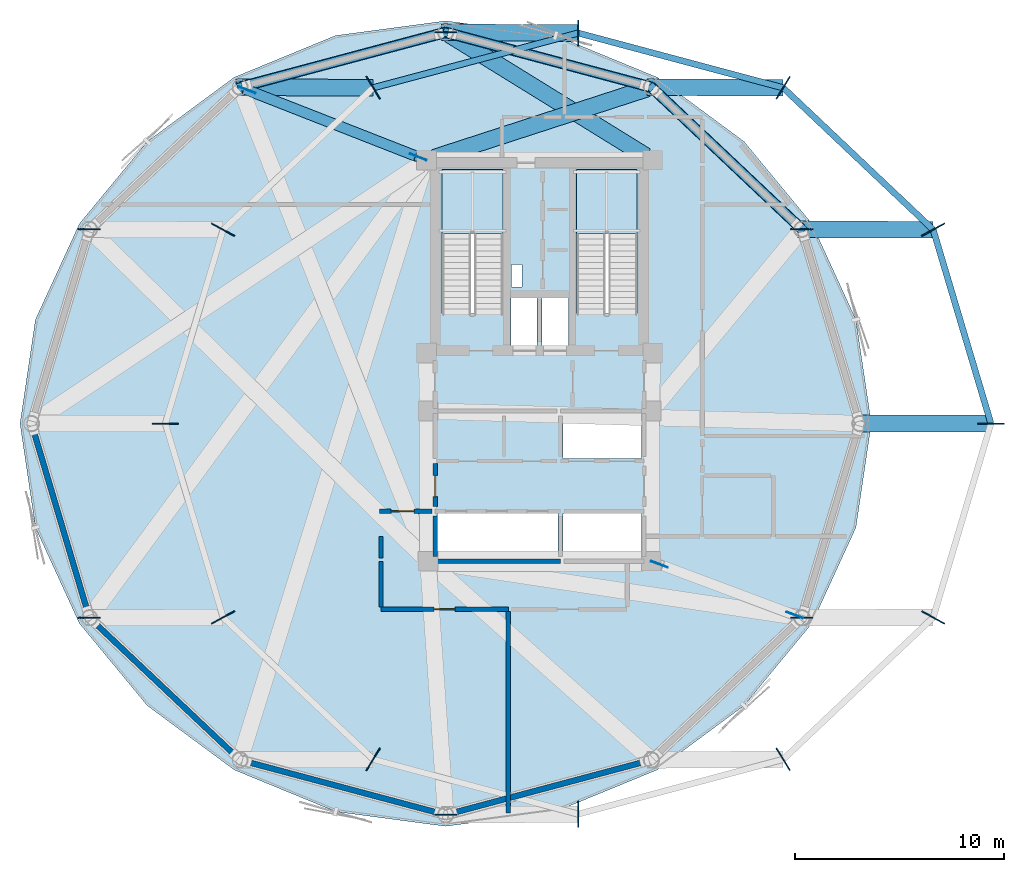
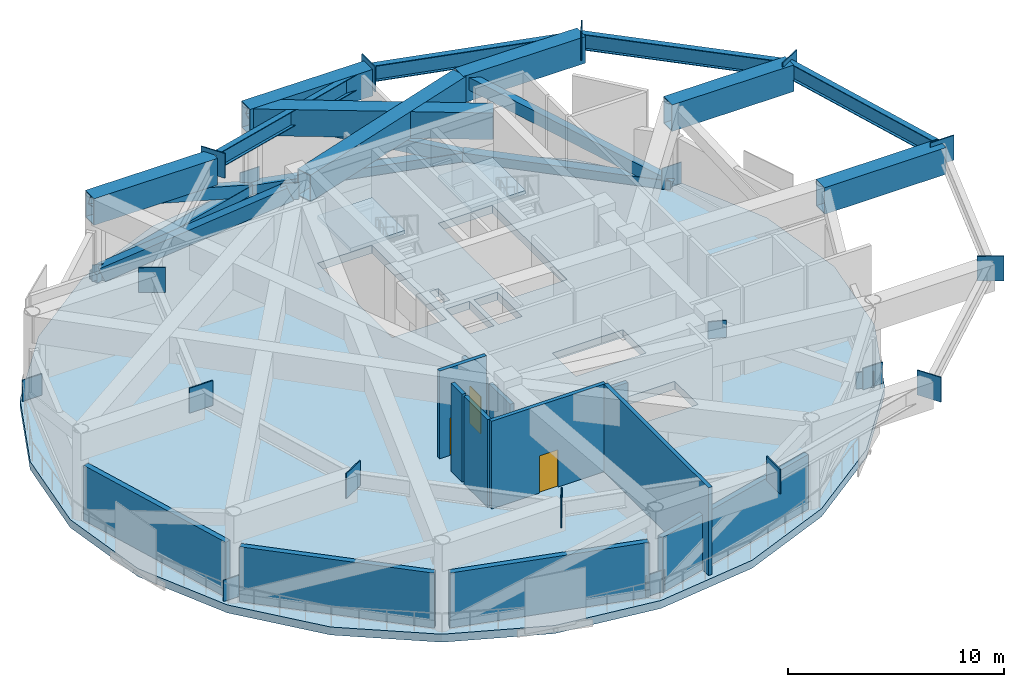
# One storey, part 2 of 8: 22 plates, 12 walls, 11 beams, 7 members, 3 doors, 3 slabs, 3 openings, 2 elements without a shape of their own.
"""IFC4 building model written with IfcOpenShell, lengths in metres."""

from ifc_helpers import new_model, si_unit, direction, frame, frame_2d, origin, origin_2d, place, context, subcontext, project, spatial, polyline, rectangle, hollow_rectangle, i_section, outline, extrude, material, layer, layer_set, material_profile, profile_set, type_object, element, fill, aggregate, save


model = new_model("IFC4")

# Units and contexts
model_context = context("Model", 3, precision=1e-05, world=origin(), true_north=direction((0.0, 1.0)))
body_context = subcontext(model_context, "Body", "Model", "MODEL_VIEW")
ifc_project = project(units=[si_unit("LENGTHUNIT", "METRE"), si_unit("AREAUNIT", "SQUARE_METRE"), si_unit("VOLUMEUNIT", "CUBIC_METRE"), si_unit("PLANEANGLEUNIT", "RADIAN"), si_unit("MASSUNIT", "GRAM", prefix="KILO")], contexts=[model_context])

# Site, building, storey
site_placement = place(None, origin())
site = spatial("IfcSite", under=ifc_project, at=site_placement, CompositionType="ELEMENT")
building_placement = place(site_placement, origin())
building = spatial("IfcBuilding", under=site, at=building_placement, Name="Varnakorn Sky Granary", CompositionType="ELEMENT")
storey_placement = place(building_placement, frame((0.0, 0.0, 173.39990234375)))
storey = spatial("IfcBuildingStorey", under=building, at=storey_placement, Name="L43", CompositionType="ELEMENT", Elevation=173.39990234375)

# Beams
ifc_material_1 = material(Name="Steel S355JR", Category="steel")
ifc_material_profile_1 = material_profile(ifc_material_1, i_section(OverallWidth=0.300048828125, OverallDepth=0.89990234375, WebThickness=0.0185546875, FlangeThickness=0.034912109375, at=origin_2d()), Name="HE 900 B")
ifc_profile_set_1 = profile_set([ifc_material_profile_1], Name="Steel S355JR")
beam_type_1 = type_object("IfcBeamType", Name="BM-PG-900", PredefinedType="BEAM", material=ifc_profile_set_1)
beam_1_placement = place(storey_placement, frame((24.629150390625, 0.009521484375, 4.5), z_axis=(-0.28545340644, 0.95839258801, 0.0), x_axis=(-0.95839258801, -0.28545340644, 0.0)))
element("IfcBeam", 1, at=beam_1_placement, inside=storey, type_object=beam_type_1, Name="Upper-Drum Perimeter Ring Girder 1", PredefinedType="BEAM", context=body_context, shape_type="SweptSolid", body=[
    extrude(i_section(OverallWidth=0.300048828125, OverallDepth=0.89990234375, WebThickness=0.0185546875, FlangeThickness=0.034912109375, at=origin_2d()), origin(), (0.0, 0.0, 1.0), 9.674072265625),
])
beam_2_placement = place(storey_placement, frame((21.857421875, 9.29736328125, 4.5), z_axis=(-0.726531109475, 0.68713357287, 0.0), x_axis=(-0.68713357287, -0.726531109475, 0.0)))
element("IfcBeam", 2, at=beam_2_placement, inside=storey, type_object=beam_type_1, Name="Upper-Drum Perimeter Ring Girder 2", PredefinedType="BEAM", context=body_context, shape_type="SweptSolid", body=[
    extrude(i_section(OverallWidth=0.300048828125, OverallDepth=0.89990234375, WebThickness=0.0185546875, FlangeThickness=0.034912109375, at=origin_2d()), origin(), (0.0, 0.0, 1.0), 9.877685546875),
])
for number, where, z_axis, x_axis, name in (
    (3, (14.663818359375, 16.09423828125, 4.5), (-0.966119844286, 0.258093871445, 0.0), (-0.258093871445, -0.966119844286, 0.0), "Upper-Drum Perimeter Ring Girder 3"),
    (4, (4.84033203125, 18.71337890625, 4.5), (-0.966119844286, -0.258093871445, 0.0), (0.258093871445, -0.966119844286, 0.0), "Upper-Drum Perimeter Ring Girder 4"),
):
    element("IfcBeam", number, at=place(storey_placement, frame(where, z_axis=z_axis, x_axis=x_axis)), inside=storey, type_object=beam_type_1, Name=name, PredefinedType="BEAM", context=body_context, shape_type="SweptSolid", body=[
        extrude(i_section(OverallWidth=0.300048828125, OverallDepth=0.89990234375, WebThickness=0.0185546875, FlangeThickness=0.034912109375, at=origin_2d()), origin(), (0.0, 0.0, 1.0), 10.14794921875),
    ])
ifc_material_2 = material(Name="Steel S460M", Category="steel")
ifc_material_profile_2 = material_profile(ifc_material_2, hollow_rectangle(XDim=0.800048828125, YDim=1.5, WallThickness=0.0400390625, at=origin_2d()), Name="BOX 800x1500x40")
ifc_profile_set_2 = profile_set([ifc_material_profile_2], Name="Steel S460M")
beam_type_2 = type_object("IfcBeamType", Name="BM-TB-1500", PredefinedType="BEAM", material=ifc_profile_set_2)
beam_3_placement = place(storey_placement, frame((18.14990234375, 0.0, 4.2001953125), z_axis=(1.0, 0.0, 0.0), x_axis=(0.0, 1.0, 0.0)))
element("IfcBeam", 5, at=beam_3_placement, inside=storey, type_object=beam_type_2, Name="Shifted-Drum Cantilever Transfer Girder 1", PredefinedType="BEAM", context=body_context, shape_type="SweptSolid", body=[
    extrude(hollow_rectangle(XDim=0.800048828125, YDim=1.5, WallThickness=0.0400390625, at=origin_2d()), origin(), (0.0, 0.0, 1.0), 6.482177734375),
])
beam_4_placement = place(storey_placement, frame((15.373779296875, 9.30810546875, 4.2001953125), z_axis=(0.999996333143, -0.00270808049, 0.0), x_axis=(0.00270808049, 0.999996333143, 0.0)))
element("IfcBeam", 6, at=beam_4_placement, inside=storey, type_object=beam_type_2, Name="Shifted-Drum Cantilever Transfer Girder 2", PredefinedType="BEAM", context=body_context, shape_type="SweptSolid", body=[
    extrude(hollow_rectangle(XDim=0.800048828125, YDim=1.5, WallThickness=0.0400390625, at=origin_2d()), origin(), (0.0, 0.0, 1.0), 6.490966796875),
])
beam_5_placement = place(storey_placement, frame((-2.05859375, 12.7373046875, 4.2001953125), z_axis=(0.951071606769, 0.308970546814, 0.0), x_axis=(-0.308970546814, 0.951071606769, 0.0)))
element("IfcBeam", 7, at=beam_5_placement, inside=storey, type_object=beam_type_2, Name="Transfer Back-Span Girder 3", PredefinedType="BEAM", context=body_context, shape_type="SweptSolid", body=[
    extrude(hollow_rectangle(XDim=0.800048828125, YDim=1.5, WallThickness=0.0400390625, at=origin_2d()), origin(), (0.0, 0.0, 1.0), 10.751953125),
])
beam_6_placement = place(storey_placement, frame((8.157470703125, 16.1220703125, 4.2001953125), z_axis=(0.999989033053, -0.004683350661, 0.0), x_axis=(0.004683350661, 0.999989033053, 0.0)))
element("IfcBeam", 8, at=beam_6_placement, inside=storey, type_object=beam_type_2, Name="Shifted-Drum Cantilever Transfer Girder 3", PredefinedType="BEAM", context=body_context, shape_type="SweptSolid", body=[
    extrude(hollow_rectangle(XDim=0.800048828125, YDim=1.5, WallThickness=0.0400390625, at=origin_2d()), origin(), (0.0, 0.0, 1.0), 6.51611328125),
])
beam_7_placement = place(storey_placement, frame((8.0966796875, 12.81982421875, 4.2001953125), z_axis=(-0.850679482757, 0.525684713128, 0.0), x_axis=(-0.525684713128, -0.850679482757, 0.0)))
element("IfcBeam", 9, at=beam_7_placement, inside=storey, type_object=beam_type_2, Name="Transfer Back-Span Girder 4", PredefinedType="BEAM", context=body_context, shape_type="SweptSolid", body=[
    extrude(hollow_rectangle(XDim=0.800048828125, YDim=1.5, WallThickness=0.0400390625, at=origin_2d()), origin(), (0.0, 0.0, 1.0), 11.0810546875),
])
beam_8_placement = place(storey_placement, frame((-1.699951171875, 18.751220703125, 4.2001953125), z_axis=(0.999985596215, -0.005367249091, 0.0), x_axis=(0.005367249091, 0.999985596215, 0.0)))
element("IfcBeam", 10, at=beam_8_placement, inside=storey, type_object=beam_type_2, Name="Shifted-Drum Cantilever Transfer Girder 4", PredefinedType="BEAM", context=body_context, shape_type="SweptSolid", body=[
    extrude(hollow_rectangle(XDim=0.800048828125, YDim=1.5, WallThickness=0.0400390625, at=origin_2d()), origin(), (0.0, 0.0, 1.0), 6.550048828125),
])
beam_9_placement = place(storey_placement, frame((-11.5576171875, 16.1220703125, 4.2001953125), z_axis=(0.999989258787, -0.004634901455, 0.0), x_axis=(0.004634901455, 0.999989258787, 0.0)))
element("IfcBeam", 11, at=beam_9_placement, inside=storey, type_object=beam_type_2, Name="Shifted-Drum Cantilever Transfer Girder 5", PredefinedType="BEAM", context=body_context, shape_type="SweptSolid", body=[
    extrude(hollow_rectangle(XDim=0.800048828125, YDim=1.5, WallThickness=0.0400390625, at=origin_2d()), origin(), (0.0, 0.0, 1.0), 6.584228515625),
])

# Members
ifc_material_profile_3 = material_profile(ifc_material_2, hollow_rectangle(XDim=0.449951171875, YDim=0.64990234375, WallThickness=0.02490234375, at=origin_2d()), Name="RHS 450x650x25")
ifc_profile_set_3 = profile_set([ifc_material_profile_3], Name="Steel S460M")
member_type_1 = type_object("IfcMemberType", Name="MB-BELT-650", PredefinedType="BRACE", material=ifc_profile_set_3)
member_1_placement = place(storey_placement, frame((15.57373046875, 9.3076171875, 0.150146484375), z_axis=(-0.663470402032, 0.626433858174, 0.409130354484), x_axis=(-0.686520954925, -0.727110018119, 0.0)))
element("IfcMember", 12, at=member_1_placement, inside=storey, type_object=member_type_1, Name="Perimeter Belt-Truss Diagonal BT02 L43", PredefinedType="BRACE", context=body_context, shape_type="SweptSolid", body=[
    extrude(hollow_rectangle(XDim=0.449951171875, YDim=0.64990234375, WallThickness=0.02490234375, at=origin_2d()), origin(), (0.0, 0.0, 1.0), 10.876708984375),
])
for number, where, z_axis, x_axis, name in (
    (13, (8.357421875, 16.12109375, 0.150146484375), (-0.885644185202, 0.236195179965, 0.39980772151), (-0.25768648195, -0.966228584249, 0.0), "Perimeter Belt-Truss Diagonal BT03 L43"),
    (14, (-1.5, 18.75, 0.150146484375), (-0.885644185202, -0.236195179965, 0.39980772151), (0.25768648195, -0.966228584249, 0.0), "Perimeter Belt-Truss Diagonal BT04 L43"),
):
    element("IfcMember", number, at=place(storey_placement, frame(where, z_axis=z_axis, x_axis=x_axis)), inside=storey, type_object=member_type_1, Name=name, PredefinedType="BRACE", context=body_context, shape_type="SweptSolid", body=[
        extrude(hollow_rectangle(XDim=0.449951171875, YDim=0.64990234375, WallThickness=0.02490234375, at=origin_2d()), origin(), (0.0, 0.0, 1.0), 11.130126953125),
    ])
ifc_material_profile_4 = material_profile(ifc_material_2, hollow_rectangle(XDim=0.5, YDim=0.5, WallThickness=0.02490234375, at=origin_2d()), Name="SHS 500x500x25")
ifc_profile_set_4 = profile_set([ifc_material_profile_4], Name="Steel S460M")
member_type_2 = type_object("IfcMemberType", Name="MB-CHD-500", PredefinedType="CHORD", material=ifc_profile_set_4)
member_2_placement = place(storey_placement, frame((15.57373046875, 9.3076171875, 0.25), z_axis=(-0.727110018119, 0.686520954925, 0.0), x_axis=(-0.686520954925, -0.727110018119, 0.0)))
element("IfcMember", 15, at=member_2_placement, inside=storey, type_object=member_type_2, Name="Belt-Truss Bottom Chord BCH02 L43", PredefinedType="CHORD", context=body_context, shape_type="SweptSolid", body=[
    extrude(hollow_rectangle(XDim=0.5, YDim=0.5, WallThickness=0.02490234375, at=origin_2d()), origin(), (0.0, 0.0, 1.0), 9.924560546875),
])
for number, where, z_axis, x_axis, name in (
    (16, (8.357421875, 16.12109375, 0.25), (-0.966228584249, 0.25768648195, 0.0), (-0.25768648195, -0.966228584249, 0.0), "Belt-Truss Bottom Chord BCH03 L43"),
    (17, (-1.5, 18.75, 0.25), (-0.966228584249, -0.25768648195, 0.0), (0.25768648195, -0.966228584249, 0.0), "Belt-Truss Bottom Chord BCH04 L43"),
):
    element("IfcMember", number, at=place(storey_placement, frame(where, z_axis=z_axis, x_axis=x_axis)), inside=storey, type_object=member_type_2, Name=name, PredefinedType="CHORD", context=body_context, shape_type="SweptSolid", body=[
        extrude(hollow_rectangle(XDim=0.5, YDim=0.5, WallThickness=0.02490234375, at=origin_2d()), origin(), (0.0, 0.0, 1.0), 10.201904296875),
    ])
ifc_material_profile_5 = material_profile(ifc_material_2, hollow_rectangle(XDim=0.5, YDim=0.800048828125, WallThickness=0.030029296875, at=origin_2d()), Name="RHS 500x800x30")
ifc_profile_set_5 = profile_set([ifc_material_profile_5], Name="Steel S460M")
member_type_3 = type_object("IfcMemberType", Name="MB-OUT-800", PredefinedType="BRACE", material=ifc_profile_set_5)
member_3_placement = place(storey_placement, frame((-2.81103515625, 12.773193359375, 4.10009765625), z_axis=(-0.860247096605, 0.336983435701, -0.382644870403), x_axis=(-0.364741936805, -0.931108650768, 0.0)))
element("IfcMember", 18, at=member_3_placement, inside=storey, type_object=member_type_3, Name="Radial Outrigger Truss Diagonal OUT05 L43", PredefinedType="BRACE", context=body_context, shape_type="SweptSolid", body=[
    extrude(hollow_rectangle(XDim=0.5, YDim=0.800048828125, WallThickness=0.030029296875, at=origin_2d()), origin(), (0.0, 0.0, 1.0), 9.53857421875),
])

# Plates
ifc_layer_1 = layer(ifc_material_2, 0.048095703125, Name="Steel S460M")
ifc_layer_set_1 = layer_set([ifc_layer_1], Name="Steel S460M")
plate_type_1 = type_object("IfcPlateType", Name="PL-NODE-KN6", PredefinedType="SHEET", material=ifc_layer_set_1)
for number, where, z_axis, x_axis, name in (
    (19, (15.57373046875, 9.3076171875, 0.05029296875), (0.0, 0.0, 1.0), (1.0, 0.0, 0.0), "Belt-Outrigger Node Assembly KN6 L43-2"),
    (20, (-1.5, 18.75, 0.05029296875), (0.0, 0.0, 1.0), (1.0, 0.0, 0.0), "Belt-Outrigger Node Assembly KN6 L43-4"),
    (21, (-18.57373046875, 9.3076171875, 0.05029296875), (0.0, 0.0, 1.0), (1.0, 0.0, 0.0), "Belt-Outrigger Node Assembly KN6 L43-6"),
    (22, (-18.57373046875, -9.3076171875, 0.05029296875), (0.0, 0.0, 1.0), (1.0, 0.0, 0.0), "Belt-Outrigger Node Assembly KN6 L43-8"),
    (23, (-1.5, -18.75, 0.05029296875), (0.0, 0.0, 1.0), (1.0, 0.0, 0.0), "Belt-Outrigger Node Assembly KN6 L43-10"),
    (24, (15.57373046875, -9.3076171875, 0.05029296875), (0.0, 0.0, 1.0), (1.0, 0.0, 0.0), "Belt-Outrigger Node Assembly KN6 L43-12"),
):
    element("IfcPlate", number, at=place(storey_placement, frame(where, z_axis=z_axis, x_axis=x_axis)), inside=storey, type_object=plate_type_1, Name=name, PredefinedType="SHEET", context=body_context, shape_type="SweptSolid", body=[
        extrude(rectangle(XDim=1.050048828125, YDim=0.048095703125, at=origin_2d()), origin(), (0.0, 0.0, 1.0), 1.199951171875),
    ])
ifc_layer_2 = layer(ifc_material_2, 0.054931640625, Name="Steel S460M")
ifc_layer_set_2 = layer_set([ifc_layer_2], Name="Steel S460M")
plate_type_2 = type_object("IfcPlateType", Name="PL-NODE-KN7", PredefinedType="SHEET", material=ifc_layer_set_2)
for number, where, z_axis, x_axis, name in (
    (25, (24.632080078125, 0.0, 3.800048828125), (0.0, 0.0, 1.0), (1.0, 0.0, 0.0), "Transfer Raker Shoe Node Assembly KN7-1"),
    (26, (21.86474609375, 9.29052734375, 3.800048828125), (0.0, 0.0, 1.0), (0.87768514529, 0.479237713184, 0.0), "Transfer Raker Shoe Node Assembly KN7-2"),
    (27, (14.673583984375, 16.091552734375, 3.800048828125), (0.0, 0.0, 1.0), (0.521053893646, 0.853523778179, 0.0), "Transfer Raker Shoe Node Assembly KN7-3"),
    (28, (4.85009765625, 18.716064453125, 3.800048828125), (0.0, 0.0, 1.0), (0.0, 1.0, 0.0), "Transfer Raker Shoe Node Assembly KN7-4"),
    (29, (-4.973388671875, 16.091552734375, 3.800048828125), (0.0, 0.0, 1.0), (-0.521053893646, 0.853523778179, 0.0), "Transfer Raker Shoe Node Assembly KN7-5"),
    (30, (-12.164794921875, 9.29052734375, 3.800048828125), (0.0, 0.0, 1.0), (-0.87768514529, 0.479237713184, 0.0), "Transfer Raker Shoe Node Assembly KN7-6"),
    (31, (-14.931884765625, 0.0, 3.800048828125), (0.0, 0.0, 1.0), (-1.0, 0.0, 0.0), "Transfer Raker Shoe Node Assembly KN7-7"),
    (32, (-12.164794921875, -9.29052734375, 3.800048828125), (0.0, 0.0, 1.0), (-0.87768514529, -0.479237713184, 0.0), "Transfer Raker Shoe Node Assembly KN7-8"),
    (33, (-4.973388671875, -16.091552734375, 3.800048828125), (0.0, 0.0, 1.0), (-0.521053893646, -0.853523778179, 0.0), "Transfer Raker Shoe Node Assembly KN7-9"),
    (34, (4.85009765625, -18.716064453125, 3.800048828125), (0.0, 0.0, 1.0), (0.0, -1.0, 0.0), "Transfer Raker Shoe Node Assembly KN7-10"),
    (35, (14.673583984375, -16.091552734375, 3.800048828125), (0.0, 0.0, 1.0), (0.521053893646, -0.853523778179, 0.0), "Transfer Raker Shoe Node Assembly KN7-11"),
    (36, (21.86474609375, -9.29052734375, 3.800048828125), (0.0, 0.0, 1.0), (0.87768514529, -0.479237713184, 0.0), "Transfer Raker Shoe Node Assembly KN7-12"),
):
    element("IfcPlate", number, at=place(storey_placement, frame(where, z_axis=z_axis, x_axis=x_axis)), inside=storey, type_object=plate_type_2, Name=name, PredefinedType="SHEET", context=body_context, shape_type="SweptSolid", body=[
        extrude(rectangle(XDim=1.25, YDim=0.054931640625, at=origin_2d()), origin(), (0.0, 0.0, 1.0), 1.39990234375),
    ])
ifc_layer_3 = layer(ifc_material_2, 0.0419921875, Name="Steel S460M")
ifc_layer_set_3 = layer_set([ifc_layer_3], Name="Steel S460M")
plate_type_3 = type_object("IfcPlateType", Name="PL-NODE-KN9", PredefinedType="SHEET", material=ifc_layer_set_3)
for number, where, z_axis, x_axis, name in (
    (37, (-2.81103515625, 12.773193359375, 3.625), (0.0, 0.0, 1.0), (-0.931107441802, 0.364745023023, 0.0), "Outrigger Core Embed Gusset KN9 L43-5A"),
    (38, (-11.0166015625, 15.987548828125, -0.02490234375), (0.0, 0.0, 1.0), (-0.931107441802, 0.364745023023, 0.0), "Outrigger Perimeter Node Gusset KN9 L43-5B"),
    (39, (8.743408203125, -6.747314453125, 3.625), (0.0, 0.0, 1.0), (0.936390257844, -0.350960517743, 0.0), "Outrigger Core Embed Gusset KN9 L43-12A"),
    (40, (15.23095703125, -9.178955078125, -0.02490234375), (0.0, 0.0, 1.0), (0.936390257844, -0.350960517743, 0.0), "Outrigger Perimeter Node Gusset KN9 L43-12B"),
):
    element("IfcPlate", number, at=place(storey_placement, frame(where, z_axis=z_axis, x_axis=x_axis)), inside=storey, type_object=plate_type_3, Name=name, PredefinedType="SHEET", context=body_context, shape_type="SweptSolid", body=[
        extrude(rectangle(XDim=0.85009765625, YDim=0.0419921875, at=origin_2d()), origin(), (0.0, 0.0, 1.0), 0.949951171875),
    ])

# Stair, slab
ifc_material_3 = material(Name="Concrete C40/50", Category="concrete")
stair_type = type_object("IfcStairType", Name="ST-MAIN-ASSEMBLY", PredefinedType="HALF_TURN_STAIR", material=ifc_material_3)
stair_1_placement = place(storey_placement, origin())
stair_1 = element("IfcStair", 41, at=stair_1_placement, inside=storey, type_object=stair_type, Name="L43 Protected Exit Stair ST-1", PredefinedType="HALF_TURN_STAIR")
ifc_layer_4 = layer(ifc_material_3, 0.199951171875, Name="Concrete C40/50")
ifc_layer_set_4 = layer_set([ifc_layer_4], Name="Concrete C40/50")
slab_type_1 = type_object("IfcSlabType", Name="ST-MAIN-LAND", PredefinedType="LANDING", material=ifc_layer_set_4)
slab_1_placement = place(storey_placement, frame((0.0, 0.0, 2.5)))
slab_1 = element("IfcSlab", 42, at=slab_1_placement, type_object=slab_type_1, Name="ST-1 landing 1", PredefinedType="LANDING", context=body_context, shape_type="SweptSolid", body=[
    extrude(outline(polyline([(1.239990234375, 9.1201171875), (1.239990234375, 12.179931640625), (-1.669921875, 12.179931640625), (-1.669921875, 9.1201171875), (1.239990234375, 9.1201171875)])), origin(), (0.0, 0.0, 1.0), 0.2001953125),
])
aggregate(stair_1, [slab_1])

stair_2_placement = place(storey_placement, origin())
stair_2 = element("IfcStair", 43, at=stair_2_placement, inside=storey, type_object=stair_type, Name="L43 Protected Exit Stair ST-2", PredefinedType="HALF_TURN_STAIR")
slab_2_placement = place(storey_placement, frame((0.0, 0.0, 2.5)))
slab_2 = element("IfcSlab", 44, at=slab_2_placement, type_object=slab_type_1, Name="ST-2 landing 1", PredefinedType="LANDING", context=body_context, shape_type="SweptSolid", body=[
    extrude(outline(polyline([(7.679931640625, 9.1201171875), (7.679931640625, 12.179931640625), (4.77001953125, 12.179931640625), (4.77001953125, 9.1201171875), (7.679931640625, 9.1201171875)])), origin(), (0.0, 0.0, 1.0), 0.2001953125),
])
aggregate(stair_2, [slab_2])

# Slab
ifc_material_4 = material(Name="Concrete C60/75", Category="concrete")
ifc_layer_5 = layer(ifc_material_4, 0.449951171875, Name="Concrete C60/75")
ifc_layer_set_5 = layer_set([ifc_layer_5], Name="Concrete C60/75")
slab_type_2 = type_object("IfcSlabType", Name="ST-SL-XFER-450", PredefinedType="FLOOR", material=ifc_layer_set_5)
slab_3_placement = place(storey_placement, frame((0.0, 0.0, -0.449951171875)))
element("IfcSlab", 45, at=slab_3_placement, inside=storey, type_object=slab_type_2, Name="Level L43 Structural Floor Slab", PredefinedType="FLOOR", context=body_context, shape_type="SweptSolid", body=[
    extrude(outline(polyline([(18.89990234375, 0.0), (18.161376953125, 4.983642578125), (16.050048828125, 9.58251953125), (12.797607421875, 13.52001953125), (8.632568359375, 16.597412109375), (3.768310546875, 18.598876953125), (-1.5, 19.300048828125), (-6.768310546875, 18.598876953125), (-11.632568359375, 16.597412109375), (-15.797607421875, 13.52001953125), (-19.050048828125, 9.58251953125), (-21.161376953125, 4.983642578125), (-21.89990234375, 0.0), (-21.161376953125, -4.983642578125), (-19.050048828125, -9.58251953125), (-15.797607421875, -13.52001953125), (-11.632568359375, -16.597412109375), (-6.768310546875, -18.598876953125), (-1.5, -19.300048828125), (3.768310546875, -18.598876953125), (8.632568359375, -16.597412109375), (12.797607421875, -13.52001953125), (16.050048828125, -9.58251953125), (18.161376953125, -4.983642578125), (18.89990234375, 0.0)]), holes=[polyline([(1.239990234375, 5.27490234375), (1.239990234375, 12.179931640625), (-1.669921875, 12.179931640625), (-1.669921875, 5.27490234375), (1.239990234375, 5.27490234375)]), polyline([(7.679931640625, 5.27490234375), (7.679931640625, 12.179931640625), (4.77001953125, 12.179931640625), (4.77001953125, 5.27490234375), (7.679931640625, 5.27490234375)]), polyline([(1.659912109375, 6.550048828125), (2.14990234375, 6.550048828125), (2.14990234375, 7.6201171875), (1.659912109375, 7.6201171875), (1.659912109375, 6.550048828125)]), polyline([(1.6201171875, 3.739990234375), (2.8798828125, 3.739990234375), (2.8798828125, 6.010009765625), (1.6201171875, 6.010009765625), (1.6201171875, 3.739990234375)]), polyline([(3.1201171875, 3.739990234375), (4.3798828125, 3.739990234375), (4.3798828125, 6.010009765625), (3.1201171875, 6.010009765625), (3.1201171875, 3.739990234375)]), polyline([(4.1201171875, -1.679931640625), (7.8798828125, -1.679931640625), (7.8798828125, 0.47998046875), (4.1201171875, 0.47998046875), (4.1201171875, -1.679931640625)]), polyline([(-1.8798828125, -6.47998046875), (3.8798828125, -6.47998046875), (3.8798828125, -4.320068359375), (-1.8798828125, -4.320068359375), (-1.8798828125, -6.47998046875)]), polyline([(4.1201171875, -6.47998046875), (7.8798828125, -6.47998046875), (7.8798828125, -4.320068359375), (4.1201171875, -4.320068359375), (4.1201171875, -6.47998046875)])]), origin(), (0.0, 0.0, 1.0), 0.449951171875),
])

# Walls
ifc_material_5 = material(Name="Precast concrete C40/50", Category="concrete")
ifc_layer_6 = layer(ifc_material_5, 0.280029296875, Name="Precast concrete C40/50")
ifc_layer_set_6 = layer_set([ifc_layer_6], Name="Precast concrete C40/50")
wall_type_1 = type_object("IfcWallType", Name="WT-EW-CRN-280", PredefinedType="SOLIDWALL", material=ifc_layer_set_6)
wall_1_placement = place(storey_placement, frame((-18.669677734375, -8.985595703125, 0.0), z_axis=(0.0, 0.0, 1.0), x_axis=(-0.285841231568, 0.958276990403, 0.0)))
element("IfcWall", 46, at=wall_1_placement, inside=storey, type_object=wall_type_1, Name="Agritech Insulated Precast Facade Wall L43-P07", PredefinedType="SOLIDWALL", context=body_context, shape_type="SweptSolid", body=[
    extrude(rectangle(XDim=9.040771484375, YDim=0.280029296875, at=frame_2d((4.5205078125, 0.0))), origin(), (0.0, 0.0, 1.0), 3.10009765625),
])
wall_2_placement = place(storey_placement, frame((-11.601806640625, -15.890380859375, 0.0), z_axis=(0.0, 0.0, 1.0), x_axis=(-0.727093640033, 0.686538300915, 0.0)))
element("IfcWall", 47, at=wall_2_placement, inside=storey, type_object=wall_type_1, Name="Agritech Insulated Precast Facade Wall L43-P08", PredefinedType="SOLIDWALL", context=body_context, shape_type="SweptSolid", body=[
    extrude(rectangle(XDim=9.252685546875, YDim=0.280029296875, at=frame_2d((4.62646484375, 0.0))), origin(), (0.0, 0.0, 1.0), 3.10009765625),
])
for number, where, z_axis, x_axis, name in (
    (48, (-1.82470703125, -18.663330078125, 0.0), (0.0, 0.0, 1.0), (-0.966232388321, 0.257672217672, 0.0), "Agritech Insulated Precast Facade Wall L43-P09"),
    (49, (8.03271484375, -16.207763671875, 0.0), (0.0, 0.0, 1.0), (-0.966232388321, -0.257672217672, 0.0), "Agritech Insulated Precast Facade Wall L43-P10"),
):
    element("IfcWall", number, at=place(storey_placement, frame(where, z_axis=z_axis, x_axis=x_axis)), inside=storey, type_object=wall_type_1, Name=name, PredefinedType="SOLIDWALL", context=body_context, shape_type="SweptSolid", body=[
        extrude(rectangle(XDim=9.52978515625, YDim=0.280029296875, at=frame_2d((4.764892578125, 0.0))), origin(), (0.0, 0.0, 1.0), 3.10009765625),
    ])

# Wall, opening, door
ifc_material_6 = material(Name="Autoclaved Aerated Concrete Blockwork", Category="masonry")
ifc_layer_7 = layer(ifc_material_6, 0.199951171875, Name="Autoclaved Aerated Concrete Blockwork")
ifc_layer_set_7 = layer_set([ifc_layer_7], Name="Autoclaved Aerated Concrete Blockwork")
wall_type_2 = type_object("IfcWallType", Name="WT-FIRE-200", PredefinedType="MOVABLE", material=ifc_layer_set_7)
wall_3_placement = place(storey_placement, frame((-2.0, -3.969970703125, 0.0), z_axis=(0.0, 0.0, 1.0), x_axis=(0.0, 1.0, 0.0)))
wall_3 = element("IfcWall", 50, at=wall_3_placement, inside=storey, type_object=wall_type_2, Name="Interior Partition Wall L43-017", PredefinedType="MOVABLE", context=body_context, shape_type="SweptSolid", body=[
    extrude(rectangle(XDim=2.050048828125, YDim=0.199951171875, at=frame_2d((1.02490234375, 0.0))), origin(), (0.0, 0.0, 1.0), 3.43212890625),
])
opening_1_placement = place(wall_3_placement, frame((0.469970703125, 0.0, 0.0)))
opening_1 = element("IfcOpeningElement", 51, at=opening_1_placement, cuts=wall_3, Name="Opening FD-60", PredefinedType="OPENING", context=body_context, shape_type="SweptSolid", body=[
    extrude(rectangle(XDim=1.0, YDim=2.10009765625, at=frame_2d((0.5, 1.050048828125))), frame((0.0, 0.10986328125, 0.0), z_axis=(0.0, -1.0, 0.0), x_axis=(1.0, 0.0, 0.0)), (0.0, 0.0, 1.0), 0.219970703125),
])
ifc_material_7 = material(Name="Acoustic Timber Fire Leaf", Category="wood")
door_type_1 = type_object("IfcDoorType", Name="DR-FD60-1000", OperationType="NOTDEFINED", PredefinedType="DOOR", material=ifc_material_7)
door_1_placement = place(opening_1_placement, origin())
door_1 = element("IfcDoor", 52, at=door_1_placement, inside=storey, type_object=door_type_1, Name="Interior Door L43-017-1", OperationType="SINGLE_SWING_RIGHT", OverallHeight=2.10009765625, OverallWidth=1.0, PredefinedType="DOOR", context=body_context, shape_type="SweptSolid", body=[
    extrude(rectangle(XDim=1.0, YDim=2.10009765625, at=frame_2d((0.5, 1.050048828125))), frame((0.0, 0.02490234375, 0.0), z_axis=(0.0, -1.0, 0.0), x_axis=(1.0, 0.0, 0.0)), (0.0, 0.0, 1.0), 0.050048828125),
])
fill(opening_1, door_1)

wall_4_placement = place(storey_placement, frame((-2.159912109375, -4.199951171875, 0.0), z_axis=(0.0, 0.0, 1.0), x_axis=(-1.0, 0.0, 0.0)))
wall_4 = element("IfcWall", 53, at=wall_4_placement, inside=storey, type_object=wall_type_2, Name="Interior Partition Wall L43-020", PredefinedType="MOVABLE", context=body_context, shape_type="SweptSolid", body=[
    extrude(rectangle(XDim=2.5, YDim=0.199951171875, at=frame_2d((1.25, 0.0))), origin(), (0.0, 0.0, 1.0), 4.9501953125),
])
opening_2_placement = place(wall_4_placement, frame((0.85009765625, 0.0, 0.0)))
opening_2 = element("IfcOpeningElement", 54, at=opening_2_placement, cuts=wall_4, Name="Opening FD-60W", PredefinedType="OPENING", context=body_context, shape_type="SweptSolid", body=[
    extrude(rectangle(XDim=1.10009765625, YDim=2.10009765625, at=frame_2d((0.550048828125, 1.050048828125))), frame((0.0, 0.10986328125, 0.0), z_axis=(0.0, -1.0, 0.0), x_axis=(1.0, 0.0, 0.0)), (0.0, 0.0, 1.0), 0.219970703125),
])
ifc_material_8 = material(Name="Galvanised Painted Steel Leaf", Category="steel")
door_type_2 = type_object("IfcDoorType", Name="DR-FD60-1100", OperationType="NOTDEFINED", PredefinedType="DOOR", material=ifc_material_8)
door_2_placement = place(opening_2_placement, origin())
door_2 = element("IfcDoor", 55, at=door_2_placement, inside=storey, type_object=door_type_2, Name="Interior Door L43-020-1", OperationType="SINGLE_SWING_RIGHT", OverallHeight=2.10009765625, OverallWidth=1.10009765625, PredefinedType="DOOR", context=body_context, shape_type="SweptSolid", body=[
    extrude(rectangle(XDim=1.10009765625, YDim=2.10009765625, at=frame_2d((0.550048828125, 1.050048828125))), frame((0.0, 0.02490234375, 0.0), z_axis=(0.0, -1.0, 0.0), x_axis=(1.0, 0.0, 0.0)), (0.0, 0.0, 1.0), 0.050048828125),
])
fill(opening_2, door_2)

wall_5_placement = place(storey_placement, frame((-4.60009765625, -8.89990234375, 0.0), z_axis=(0.0, 0.0, 1.0), x_axis=(1.0, 0.0, 0.0)))
wall_5 = element("IfcWall", 56, at=wall_5_placement, inside=storey, type_object=wall_type_2, Name="Interior Partition Wall L43-026", PredefinedType="MOVABLE", context=body_context, shape_type="SweptSolid", body=[
    extrude(rectangle(XDim=6.10009765625, YDim=0.199951171875, at=frame_2d((3.050048828125, 0.0))), origin(), (0.0, 0.0, 1.0), 4.9501953125),
])
opening_3_placement = place(wall_5_placement, frame((2.550048828125, 0.0, 0.0)))
opening_3 = element("IfcOpeningElement", 57, at=opening_3_placement, cuts=wall_5, Name="Opening FD-60", PredefinedType="OPENING", context=body_context, shape_type="SweptSolid", body=[
    extrude(rectangle(XDim=1.0, YDim=2.10009765625, at=frame_2d((0.5, 1.050048828125))), frame((0.0, 0.10986328125, 0.0), z_axis=(0.0, -1.0, 0.0), x_axis=(1.0, 0.0, 0.0)), (0.0, 0.0, 1.0), 0.219970703125),
])
door_3_placement = place(opening_3_placement, origin())
door_3 = element("IfcDoor", 58, at=door_3_placement, inside=storey, type_object=door_type_1, Name="Interior Door L43-026-1", OperationType="SINGLE_SWING_RIGHT", OverallHeight=2.10009765625, OverallWidth=1.0, PredefinedType="DOOR", context=body_context, shape_type="SweptSolid", body=[
    extrude(rectangle(XDim=1.0, YDim=2.10009765625, at=frame_2d((0.5, 1.050048828125))), frame((0.0, 0.02490234375, 0.0), z_axis=(0.0, -1.0, 0.0), x_axis=(1.0, 0.0, 0.0)), (0.0, 0.0, 1.0), 0.050048828125),
])
fill(opening_3, door_3)

# Walls
wall_6_placement = place(storey_placement, frame((-4.60009765625, -6.60009765625, 0.0), z_axis=(0.0, 0.0, 1.0), x_axis=(0.0, -1.0, 0.0)))
element("IfcWall", 59, at=wall_6_placement, inside=storey, type_object=wall_type_2, Name="Interior Partition Wall L43-037", PredefinedType="MOVABLE", context=body_context, shape_type="SweptSolid", body=[
    extrude(rectangle(XDim=2.18994140625, YDim=0.199951171875, at=frame_2d((1.094970703125, 0.0))), origin(), (0.0, 0.0, 1.0), 4.9501953125),
])
wall_7_placement = place(storey_placement, frame((-4.60009765625, -5.39990234375, 0.0), z_axis=(0.0, 0.0, 1.0), x_axis=(0.0, -1.0, 0.0)))
element("IfcWall", 60, at=wall_7_placement, inside=storey, type_object=wall_type_2, Name="Interior Partition Wall L43-038", PredefinedType="MOVABLE", context=body_context, shape_type="SweptSolid", body=[
    extrude(rectangle(XDim=1.0400390625, YDim=0.199951171875, at=frame_2d((0.52001953125, 0.0))), origin(), (0.0, 0.0, 1.0), 4.9501953125),
])
wall_8_placement = place(storey_placement, frame((1.5, -9.010009765625, 0.0), z_axis=(0.0, 0.0, 1.0), x_axis=(0.0, -1.0, 0.0)))
element("IfcWall", 61, at=wall_8_placement, inside=storey, type_object=wall_type_2, Name="Interior Partition Wall L43-050", PredefinedType="MOVABLE", context=body_context, shape_type="SweptSolid", body=[
    extrude(rectangle(XDim=9.65087890625, YDim=0.199951171875, at=frame_2d((4.825439453125, 0.0))), origin(), (0.0, 0.0, 1.0), 4.9501953125),
])
ifc_layer_8 = layer(ifc_material_6, 0.199951171875, Name="Autoclaved Aerated Concrete Blockwork")
ifc_layer_set_8 = layer_set([ifc_layer_8], Name="Autoclaved Aerated Concrete Blockwork")
wall_type_3 = type_object("IfcWallType", Name="WT-SHAFT-200", PredefinedType="SOLIDWALL", material=ifc_layer_set_8)
wall_9_placement = place(storey_placement, frame((-2.0, -6.60009765625, 0.0), z_axis=(0.0, 0.0, 1.0), x_axis=(1.0, 0.0, 0.0)))
element("IfcWall", 62, at=wall_9_placement, inside=storey, type_object=wall_type_3, Name="Interior Partition Wall L43-007", PredefinedType="SOLIDWALL", context=body_context, shape_type="SweptSolid", body=[
    extrude(rectangle(XDim=6.0, YDim=0.199951171875, at=frame_2d((3.0, 0.0))), origin(), (0.0, 0.0, 1.0), 2.732177734375),
])
wall_10_placement = place(storey_placement, frame((-2.0, -6.3701171875, 0.0), z_axis=(0.0, 0.0, 1.0), x_axis=(0.0, 1.0, 0.0)))
element("IfcWall", 63, at=wall_10_placement, inside=storey, type_object=wall_type_3, Name="Interior Partition Wall L43-008", PredefinedType="SOLIDWALL", context=body_context, shape_type="SweptSolid", body=[
    extrude(rectangle(XDim=1.940185546875, YDim=0.199951171875, at=frame_2d((0.97021484375, 0.0))), origin(), (0.0, 0.0, 1.0), 3.43212890625),
])

save(model, "model.ifc")
